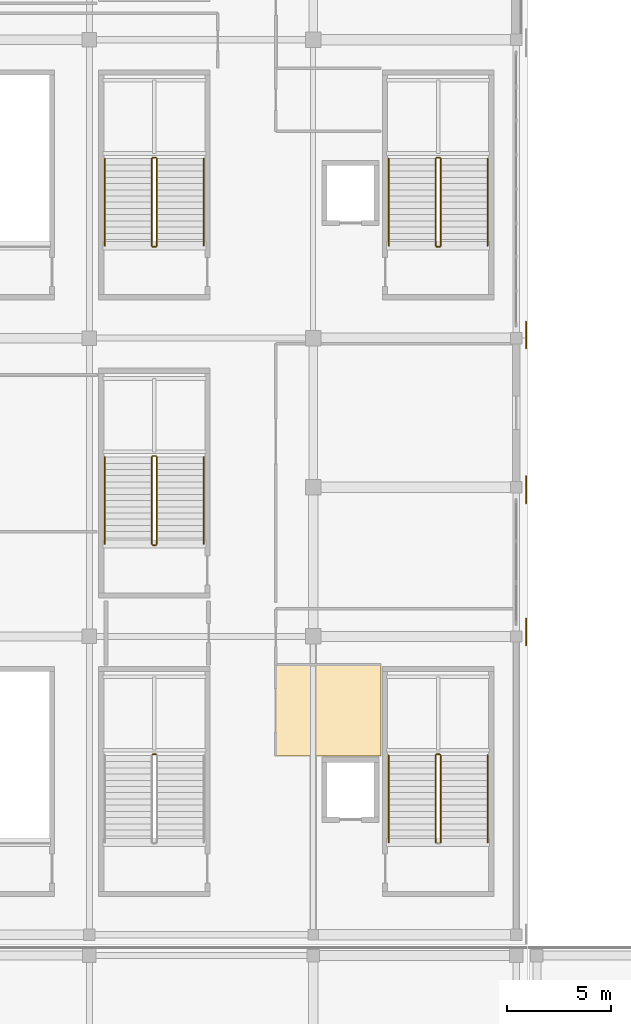
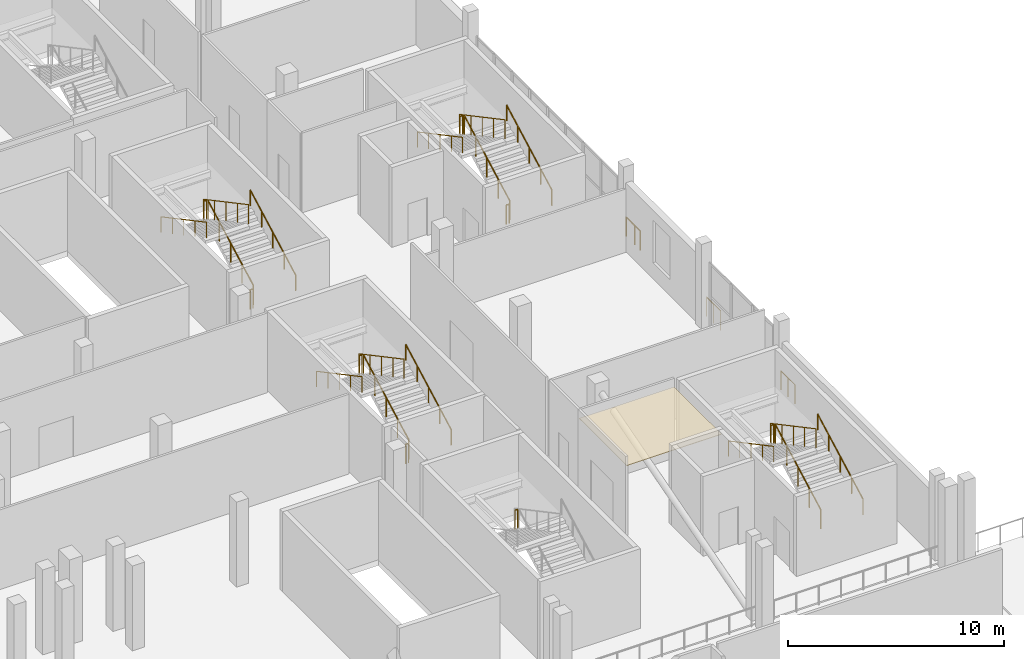
# One storey, part 117 of 129: 28 railings, 1 covering.
"""IFC4 building model written with IfcOpenShell, lengths in metres."""

import ifcopenshell
import ifcopenshell.guid

model = None  # the IFC model being written
_history = None  # IfcOwnerHistory: only IFC2X3 demands one
_inside = {}  # id of a spatial element -> (the spatial element, [elements in it])
_under = {}  # id of a project, library or spatial element -> (it, [spatial elements below it])
_declared = {}  # id of a project -> (the project, [libraries it declares])
_typed = {}  # id of a type object -> (the type object, [elements of that type])
_made_of = {}  # id of a material, layer set ... -> (it, [elements and type objects made of it])


def new_model(schema):
    """Start an empty IFC model of exactly this schema.

    Asked for "IFC4X3", IfcOpenShell would pick the latest addendum, in which some entities
    have other attributes; the version numbers below select the first issue.
    IFC2X3 requires an IfcOwnerHistory on every rooted entity: one is made here for all.
    """
    global model, _history
    if schema == "IFC4X3":
        model = ifcopenshell.file(schema_version=(4, 3, 0, 0))
    else:
        model = ifcopenshell.file(schema=schema)
    _inside.clear()
    _under.clear()
    _declared.clear()
    _typed.clear()
    _made_of.clear()
    _history = None
    if model.schema == "IFC2X3":
        org = make("IfcOrganization", Name="unknown")
        user = make(
            "IfcPersonAndOrganization",
            ThePerson=make("IfcPerson", FamilyName="unknown"),
            TheOrganization=org,
        )
        app = make(
            "IfcApplication",
            ApplicationDeveloper=org,
            Version="unknown",
            ApplicationFullName="unknown",
            ApplicationIdentifier="unknown",
        )
        _history = make(
            "IfcOwnerHistory",
            OwningUser=user,
            OwningApplication=app,
            ChangeAction="ADDED",
            CreationDate=0,
        )
    return model


def make(cls, **values):
    """One entity of the class cls with the attributes given. An attribute that is None is left unset."""
    return model.create_entity(
        cls, **{name: value for name, value in values.items() if value is not None}
    )


def rooted(cls, **values):
    """An entity with a GlobalId (a new one), such as an element, a storey or a relation."""
    return make(cls, GlobalId=ifcopenshell.guid.new(), OwnerHistory=_history, **values)


def si_unit(unit_type, name, prefix=None):
    """IfcSIUnit, for example si_unit("LENGTHUNIT", "METRE", prefix="MILLI")."""
    return make("IfcSIUnit", UnitType=unit_type, Prefix=prefix, Name=name)


def assignment(units):
    """IfcUnitAssignment: the units of a project."""
    return None if units is None else make("IfcUnitAssignment", Units=units)


def point(xyz):
    """IfcCartesianPoint."""
    return None if xyz is None else make("IfcCartesianPoint", Coordinates=xyz)


def direction(xyz):
    """IfcDirection."""
    return None if xyz is None else make("IfcDirection", DirectionRatios=xyz)


def frame(location, z_axis=None, x_axis=None):
    """IfcAxis2Placement3D, a coordinate frame: its origin and axes. An axis left out is left unset."""
    return make(
        "IfcAxis2Placement3D",
        Location=point(location),
        Axis=direction(z_axis),
        RefDirection=direction(x_axis),
    )


def frame_2d(location, x_axis=None):
    """IfcAxis2Placement2D, a coordinate frame in the plane: its origin and x axis."""
    return make(
        "IfcAxis2Placement2D", Location=point(location), RefDirection=direction(x_axis)
    )


def origin():
    """The frame at (0, 0, 0) with its axes left unset."""
    return frame((0.0, 0.0, 0.0))


def origin_2d():
    """The frame at (0, 0) in the plane with its x axis left unset."""
    return frame_2d((0.0, 0.0))


def place(relative_to, where):
    """IfcLocalPlacement: puts the frame where relative to a parent placement (None: the world)."""
    return make(
        "IfcLocalPlacement", PlacementRelTo=relative_to, RelativePlacement=where
    )


def context(
    kind, dimensions, precision=None, world=None, true_north=None, identifier=None
):
    """IfcGeometricRepresentationContext, for example the 3D "Model" context."""
    return make(
        "IfcGeometricRepresentationContext",
        ContextIdentifier=identifier,
        ContextType=kind,
        CoordinateSpaceDimension=dimensions,
        Precision=precision,
        WorldCoordinateSystem=world,
        TrueNorth=true_north,
    )


def subcontext(parent, identifier, kind, view, scale=None):
    """IfcGeometricRepresentationSubContext, for example "Body" below "Model"."""
    return make(
        "IfcGeometricRepresentationSubContext",
        ContextIdentifier=identifier,
        ContextType=kind,
        ParentContext=parent,
        TargetScale=scale,
        TargetView=view,
    )


def project(units=None, contexts=None):
    """IfcProject with its units and contexts."""
    return rooted(
        "IfcProject",
        Name="project",
        RepresentationContexts=contexts,
        UnitsInContext=assignment(units),
    )


def spatial(cls, under=None, at=None, **own):
    """A site, building, storey or space (cls), placed at a placement, below another one or the project."""
    s = rooted(cls, ObjectPlacement=at, **own)
    if under is not None:
        _under.setdefault(under.id(), (under, []))[1].append(s)
    return s


def polyline(points):
    """IfcPolyline through the points."""
    return make("IfcPolyline", Points=[point(p) for p in points])


def profile(cls, at=None, kind="AREA", **sizes):
    """A parametric profile (cls). Its sizes go by their IFC names, for example OverallWidth=200.0."""
    return make(cls, ProfileType=kind, Position=at, **sizes)


def circle(**sizes):
    """IfcCircleProfileDef."""
    return profile("IfcCircleProfileDef", **sizes)


def outline(outer, holes=None, kind="AREA"):
    """IfcArbitraryClosedProfileDef: a profile drawn as a closed curve; with holes, ...WithVoids."""
    if holes is None:
        return make("IfcArbitraryClosedProfileDef", ProfileType=kind, OuterCurve=outer)
    return make(
        "IfcArbitraryProfileDefWithVoids",
        ProfileType=kind,
        OuterCurve=outer,
        InnerCurves=holes,
    )


def extrude(swept, where, along, depth):
    """IfcExtrudedAreaSolid: the profile swept, set in the frame where, extruded along a direction by depth."""
    return make(
        "IfcExtrudedAreaSolid",
        SweptArea=swept,
        Position=where,
        ExtrudedDirection=direction(along),
        Depth=depth,
    )


def shape(context_of_items, identifier, shape_type, items):
    """IfcShapeRepresentation: the items that make up one representation, for example the "Body"."""
    return make(
        "IfcShapeRepresentation",
        ContextOfItems=context_of_items,
        RepresentationIdentifier=identifier,
        RepresentationType=shape_type,
        Items=items,
    )


def material(Name=None, Category=None):
    """IfcMaterial."""
    return make("IfcMaterial", Name=Name, Category=Category)


def layer(
    of_material, thickness, ventilated=None, Name=None, Category=None, Priority=None
):
    """IfcMaterialLayer: one layer of a wall or slab, of a material (None: an air gap)."""
    return make(
        "IfcMaterialLayer",
        Material=of_material,
        LayerThickness=thickness,
        IsVentilated=ventilated,
        Name=Name,
        Category=Category,
        Priority=Priority,
    )


def layer_set(layers, Name=None):
    """IfcMaterialLayerSet."""
    return make("IfcMaterialLayerSet", MaterialLayers=layers, LayerSetName=Name)


def made_of(thing, what):
    """Note that an element or type object is made of a material, layer set ...; save() writes the relation."""
    if what is not None:
        _made_of.setdefault(what.id(), (what, []))[1].append(thing)
    return thing


def type_object(cls, material=None, **own):
    """A type object (cls), such as IfcWallType, which elements share."""
    return made_of(rooted(cls, **own), material)


def element(
    cls,
    number,
    at=None,
    inside=None,
    cuts=None,
    type_object=None,
    material=None,
    context=None,
    identifier="Body",
    shape_type=None,
    held_by="IfcProductDefinitionShape",
    body=None,
    shapes=None,
    **own,
):
    """One element of the class cls, such as IfcWall. Its Tag is "e" and its number.

    at: its placement. inside: the storey or other place that contains it. cuts: it is an
    opening in that element (IfcRelVoidsElement). A single representation is given by context,
    identifier, shape_type and body (its items); several are given by shapes. held_by: the class
    of the entity that holds the representations. save() writes the other relations.
    """
    e = rooted(cls, Tag="e%d" % number, ObjectPlacement=at, **own)
    if body is not None:
        shapes = [shape(context, identifier, shape_type, body)]
    if shapes is not None:
        e.Representation = make(held_by, Representations=shapes)
    if inside is not None:
        _inside.setdefault(inside.id(), (inside, []))[1].append(e)
    if cuts is not None:
        rooted(
            "IfcRelVoidsElement", RelatingBuildingElement=cuts, RelatedOpeningElement=e
        )
    if type_object is not None:
        _typed.setdefault(type_object.id(), (type_object, []))[1].append(e)
    return made_of(e, material)


def aggregate(whole, parts):
    """IfcRelAggregates: a whole, such as a stair, and the parts it consists of."""
    return rooted("IfcRelAggregates", RelatingObject=whole, RelatedObjects=parts)


def save(model, path):
    """Write the relations noted so far, then the file.

    IfcRelAggregates (storeys below a building ...), IfcRelContainedInSpatialStructure (elements
    in a storey), IfcRelDefinesByType, IfcRelAssociatesMaterial and IfcRelDeclares: one each for
    every whole, place, type object, material and project.
    """
    for whole, parts in _under.values():
        aggregate(whole, parts)
    for where, things in _inside.values():
        rooted(
            "IfcRelContainedInSpatialStructure",
            RelatedElements=things,
            RelatingStructure=where,
        )
    for kind, things in _typed.values():
        rooted("IfcRelDefinesByType", RelatedObjects=things, RelatingType=kind)
    for what, things in _made_of.values():
        rooted("IfcRelAssociatesMaterial", RelatedObjects=things, RelatingMaterial=what)
    for by, libraries in _declared.values():
        rooted("IfcRelDeclares", RelatingContext=by, RelatedDefinitions=libraries)
    model.write(path)


model = new_model("IFC4")

# Units and contexts
model_context = context("Model", 3, precision=1e-05, world=origin(), true_north=direction((0.0, 1.0)))
body_context = subcontext(model_context, "Body", "Model", "MODEL_VIEW")
ifc_project = project(units=[si_unit("LENGTHUNIT", "METRE"), si_unit("AREAUNIT", "SQUARE_METRE"), si_unit("VOLUMEUNIT", "CUBIC_METRE"), si_unit("PLANEANGLEUNIT", "RADIAN"), si_unit("MASSUNIT", "GRAM", prefix="KILO")], contexts=[model_context])

# Site, building, storey
site_placement = place(None, origin())
site = spatial("IfcSite", under=ifc_project, at=site_placement, CompositionType="ELEMENT")
building_placement = place(site_placement, origin())
building = spatial("IfcBuilding", under=site, at=building_placement, Name="Koshinbarg Plaza Stadium", CompositionType="ELEMENT")
storey_placement = place(building_placement, frame((0.0, 0.0, 5.39990234375)))
storey = spatial("IfcBuildingStorey", under=building, at=storey_placement, Name="L01", CompositionType="ELEMENT", Elevation=5.39990234375)

# Covering
ifc_material_1 = material(Name="Perforated gypsum acoustic ceiling board")
ifc_layer = layer(ifc_material_1, 0.030029296875)
ifc_layer_set = layer_set([ifc_layer], Name="Perforated gypsum acoustic ceiling board")
covering_type = type_object("IfcCoveringType", Name="COV-CEIL-01", PredefinedType="CEILING", material=ifc_layer_set)
covering_placement = place(storey_placement, frame((0.0, 0.0, 3.9501953125)))
element("IfcCovering", 1, at=covering_placement, inside=storey, type_object=covering_type, Name="L01 Family Supporters' Lounge acoustic ceiling 007", PredefinedType="CEILING", context=body_context, shape_type="SweptSolid", body=[
    extrude(outline(polyline([(206.800048828125, 34.1298828125), (211.8701171875, 34.1298828125), (211.8701171875, 38.530029296875), (206.800048828125, 38.530029296875), (206.800048828125, 34.1298828125)])), origin(), (0.0, 0.0, 1.0), 0.02978515625),
])

# Railings
ifc_material_2 = material(Name="Toughened laminated glass and stainless steel sightline balustrade", Category="steel")
railing_type_1 = type_object("IfcRailingType", Name="RL-BOWL-1100", PredefinedType="BALUSTRADE", material=ifc_material_2)
railing_1_placement = place(storey_placement, frame((218.875, 54.300048828125, 0.0)))
element("IfcRailing", 2, at=railing_1_placement, inside=storey, type_object=railing_type_1, Name="L01 deck edge safety balustrade 0013", PredefinedType="BALUSTRADE", context=body_context, shape_type="SweptSolid", body=[
    extrude(circle(Radius=0.02392578125, at=origin_2d()), frame((0.0, 0.0, 1.076171875), z_axis=(0.0, -1.0, 0.0), x_axis=(1.0, 0.0, 0.0)), (0.0, 0.0, 1.0), 0.49853515625),
    extrude(circle(Radius=0.02099609375, at=origin_2d()), origin(), (0.0, 0.0, 1.0), 1.052001953125),
    extrude(circle(Radius=0.02099609375, at=origin_2d()), frame((0.0, -0.49853515625, 0.0)), (0.0, 0.0, 1.0), 1.052001953125),
])
for number, where, name in (
    (3, (218.875, 47.634033203125, 0.0), "L01 deck edge safety balustrade 0014"),
    (4, (218.875, 40.76806640625, 0.0), "L01 deck edge safety balustrade 0015"),
):
    element("IfcRailing", number, at=place(storey_placement, frame(where)), inside=storey, type_object=railing_type_1, Name=name, PredefinedType="BALUSTRADE", context=body_context, shape_type="SweptSolid", body=[
        extrude(circle(Radius=0.02392578125, at=origin_2d()), frame((0.0, 0.0, 1.076171875), z_axis=(0.0, -1.0, 0.0), x_axis=(1.0, 0.0, 0.0)), (0.0, 0.0, 1.0), 1.295654296875),
        extrude(circle(Radius=0.02099609375, at=origin_2d()), origin(), (0.0, 0.0, 1.0), 1.052001953125),
        extrude(circle(Radius=0.02099609375, at=origin_2d()), frame((0.0, -0.64794921875, 0.0)), (0.0, 0.0, 1.0), 1.052001953125),
        extrude(circle(Radius=0.02099609375, at=origin_2d()), frame((0.0, -1.295654296875, 0.0)), (0.0, 0.0, 1.0), 1.052001953125),
    ])
railing_2_placement = place(storey_placement, frame((218.875, 55.10009765625, 0.0)))
element("IfcRailing", 5, at=railing_2_placement, inside=storey, type_object=railing_type_1, Name="L01 deck edge safety balustrade 0023", PredefinedType="BALUSTRADE", context=body_context, shape_type="SweptSolid", body=[
    extrude(circle(Radius=0.02392578125, at=origin_2d()), frame((0.0, 0.0, 1.076171875), z_axis=(0.0, -1.0, 0.0), x_axis=(1.0, 0.0, 0.0)), (0.0, 0.0, 1.0), 0.800048828125),
    extrude(circle(Radius=0.02099609375, at=origin_2d()), origin(), (0.0, 0.0, 1.0), 1.052001953125),
    extrude(circle(Radius=0.02099609375, at=origin_2d()), frame((0.0, -0.800048828125, 0.0)), (0.0, 0.0, 1.0), 1.052001953125),
])
ifc_material_3 = material(Name="Galvanized painted steel guardrail", Category="steel")
railing_type_2 = type_object("IfcRailingType", Name="RL-GUARD-1100", PredefinedType="GUARDRAIL", material=ifc_material_3)
railing_3_placement = place(storey_placement, frame((214.760009765625, 29.9599609375, 0.16015625)))
element("IfcRailing", 6, at=railing_3_placement, inside=storey, type_object=railing_type_2, Name="L01 C07 stair guard 1", PredefinedType="GUARDRAIL", context=body_context, shape_type="SweptSolid", body=[
    extrude(circle(Radius=0.02392578125, at=origin_2d()), frame((0.0, 0.0, 1.076171875), z_axis=(0.0, 0.882351521365, 0.470590897432), x_axis=(-1.0, 0.0, 0.0)), (0.0, 0.0, 1.0), 4.760009765625),
    extrude(circle(Radius=0.02099609375, at=origin_2d()), origin(), (0.0, 0.0, 1.0), 1.052001953125),
    extrude(circle(Radius=0.02099609375, at=origin_2d()), frame((0.0, 1.050048828125, 0.56005859375)), (0.0, 0.0, 1.0), 1.052001953125),
    extrude(circle(Radius=0.02099609375, at=origin_2d()), frame((0.0, 2.10009765625, 1.1201171875)), (0.0, 0.0, 1.0), 1.052001953125),
    extrude(circle(Radius=0.02099609375, at=origin_2d()), frame((0.0, 3.14990234375, 1.679931640625)), (0.0, 0.0, 1.0), 1.052001953125),
    extrude(circle(Radius=0.02099609375, at=origin_2d()), frame((0.0, 4.199951171875, 2.239990234375)), (0.0, 0.0, 1.0), 1.052001953125),
])
railing_4_placement = place(storey_placement, frame((214.7099609375, 34.2099609375, 2.400146484375)))
element("IfcRailing", 7, at=railing_4_placement, inside=storey, type_object=railing_type_2, Name="L01 C07 stair guard 2", PredefinedType="GUARDRAIL", context=body_context, shape_type="SweptSolid", body=[
    extrude(circle(Radius=0.02392578125, at=origin_2d()), frame((0.0, 0.0, 1.076171875), z_axis=(-1.0, 0.0, 0.0), x_axis=(0.0, -1.0, 0.0)), (0.0, 0.0, 1.0), 0.14990234375),
    extrude(circle(Radius=0.02099609375, at=origin_2d()), origin(), (0.0, 0.0, 1.0), 1.052001953125),
    extrude(circle(Radius=0.02099609375, at=origin_2d()), frame((-0.14990234375, 0.0, 0.0)), (0.0, 0.0, 1.0), 1.052001953125),
])
railing_5_placement = place(storey_placement, frame((214.510009765625, 34.159912109375, 2.56005859375)))
element("IfcRailing", 8, at=railing_5_placement, inside=storey, type_object=railing_type_2, Name="L01 C07 stair guard 3", PredefinedType="GUARDRAIL", context=body_context, shape_type="SweptSolid", body=[
    extrude(circle(Radius=0.02392578125, at=origin_2d()), frame((0.0, 0.0, 1.076171875), z_axis=(0.0, -0.882351521365, 0.470590897432), x_axis=(1.0, 0.0, 0.0)), (0.0, 0.0, 1.0), 4.760009765625),
    extrude(circle(Radius=0.02099609375, at=origin_2d()), origin(), (0.0, 0.0, 1.0), 1.052001953125),
    extrude(circle(Radius=0.02099609375, at=origin_2d()), frame((0.0, -1.050048828125, 0.56005859375)), (0.0, 0.0, 1.0), 1.052001953125),
    extrude(circle(Radius=0.02099609375, at=origin_2d()), frame((0.0, -2.10009765625, 1.1201171875)), (0.0, 0.0, 1.0), 1.052001953125),
    extrude(circle(Radius=0.02099609375, at=origin_2d()), frame((0.0, -3.14990234375, 1.679931640625)), (0.0, 0.0, 1.0), 1.052001953125),
    extrude(circle(Radius=0.02099609375, at=origin_2d()), frame((0.0, -4.199951171875, 2.239990234375)), (0.0, 0.0, 1.0), 1.052001953125),
])
railing_6_placement = place(storey_placement, frame((214.760009765625, 58.760009765625, 0.16015625)))
element("IfcRailing", 9, at=railing_6_placement, inside=storey, type_object=railing_type_2, Name="L01 C08 stair guard 1", PredefinedType="GUARDRAIL", context=body_context, shape_type="SweptSolid", body=[
    extrude(circle(Radius=0.02392578125, at=origin_2d()), frame((0.0, 0.0, 1.076171875), z_axis=(0.0, 0.882351521365, 0.470590897432), x_axis=(-1.0, 0.0, 0.0)), (0.0, 0.0, 1.0), 4.760009765625),
    extrude(circle(Radius=0.02099609375, at=origin_2d()), origin(), (0.0, 0.0, 1.0), 1.052001953125),
    extrude(circle(Radius=0.02099609375, at=origin_2d()), frame((0.0, 1.050048828125, 0.56005859375)), (0.0, 0.0, 1.0), 1.052001953125),
    extrude(circle(Radius=0.02099609375, at=origin_2d()), frame((0.0, 2.10009765625, 1.1201171875)), (0.0, 0.0, 1.0), 1.052001953125),
    extrude(circle(Radius=0.02099609375, at=origin_2d()), frame((0.0, 3.14990234375, 1.679931640625)), (0.0, 0.0, 1.0), 1.052001953125),
    extrude(circle(Radius=0.02099609375, at=origin_2d()), frame((0.0, 4.199951171875, 2.239990234375)), (0.0, 0.0, 1.0), 1.052001953125),
])
railing_7_placement = place(storey_placement, frame((214.7099609375, 63.010009765625, 2.400146484375)))
element("IfcRailing", 10, at=railing_7_placement, inside=storey, type_object=railing_type_2, Name="L01 C08 stair guard 2", PredefinedType="GUARDRAIL", context=body_context, shape_type="SweptSolid", body=[
    extrude(circle(Radius=0.02392578125, at=origin_2d()), frame((0.0, 0.0, 1.076171875), z_axis=(-1.0, 0.0, 0.0), x_axis=(0.0, -1.0, 0.0)), (0.0, 0.0, 1.0), 0.14990234375),
    extrude(circle(Radius=0.02099609375, at=origin_2d()), origin(), (0.0, 0.0, 1.0), 1.052001953125),
    extrude(circle(Radius=0.02099609375, at=origin_2d()), frame((-0.14990234375, 0.0, 0.0)), (0.0, 0.0, 1.0), 1.052001953125),
])
railing_8_placement = place(storey_placement, frame((214.510009765625, 62.9599609375, 2.56005859375)))
element("IfcRailing", 11, at=railing_8_placement, inside=storey, type_object=railing_type_2, Name="L01 C08 stair guard 3", PredefinedType="GUARDRAIL", context=body_context, shape_type="SweptSolid", body=[
    extrude(circle(Radius=0.02392578125, at=origin_2d()), frame((0.0, 0.0, 1.076171875), z_axis=(0.0, -0.882351521365, 0.470590897432), x_axis=(1.0, 0.0, 0.0)), (0.0, 0.0, 1.0), 4.760009765625),
    extrude(circle(Radius=0.02099609375, at=origin_2d()), origin(), (0.0, 0.0, 1.0), 1.052001953125),
    extrude(circle(Radius=0.02099609375, at=origin_2d()), frame((0.0, -1.050048828125, 0.56005859375)), (0.0, 0.0, 1.0), 1.052001953125),
    extrude(circle(Radius=0.02099609375, at=origin_2d()), frame((0.0, -2.10009765625, 1.1201171875)), (0.0, 0.0, 1.0), 1.052001953125),
    extrude(circle(Radius=0.02099609375, at=origin_2d()), frame((0.0, -3.14990234375, 1.679931640625)), (0.0, 0.0, 1.0), 1.052001953125),
    extrude(circle(Radius=0.02099609375, at=origin_2d()), frame((0.0, -4.199951171875, 2.239990234375)), (0.0, 0.0, 1.0), 1.052001953125),
])
for number, where, name in (
    (12, (214.7099609375, 58.7099609375, 0.0), "L01 C08 stair guard 4"),
    (13, (201.010009765625, 34.2099609375, 2.400146484375), "L01 VX07 stair guard 2"),
):
    element("IfcRailing", number, at=place(storey_placement, frame(where)), inside=storey, type_object=railing_type_2, Name=name, PredefinedType="GUARDRAIL", context=body_context, shape_type="SweptSolid", body=[
        extrude(circle(Radius=0.02392578125, at=origin_2d()), frame((0.0, 0.0, 1.076171875), z_axis=(-1.0, 0.0, 0.0), x_axis=(0.0, -1.0, 0.0)), (0.0, 0.0, 1.0), 0.14990234375),
        extrude(circle(Radius=0.02099609375, at=origin_2d()), origin(), (0.0, 0.0, 1.0), 1.052001953125),
        extrude(circle(Radius=0.02099609375, at=origin_2d()), frame((-0.14990234375, 0.0, 0.0)), (0.0, 0.0, 1.0), 1.052001953125),
    ])
railing_9_placement = place(storey_placement, frame((201.06005859375, 44.360107421875, 0.16015625)))
element("IfcRailing", 14, at=railing_9_placement, inside=storey, type_object=railing_type_2, Name="L01 VX08 stair guard 1", PredefinedType="GUARDRAIL", context=body_context, shape_type="SweptSolid", body=[
    extrude(circle(Radius=0.02392578125, at=origin_2d()), frame((0.0, 0.0, 1.076171875), z_axis=(0.0, 0.882351521365, 0.470590897432), x_axis=(-1.0, 0.0, 0.0)), (0.0, 0.0, 1.0), 4.760009765625),
    extrude(circle(Radius=0.02099609375, at=origin_2d()), origin(), (0.0, 0.0, 1.0), 1.052001953125),
    extrude(circle(Radius=0.02099609375, at=origin_2d()), frame((0.0, 1.050048828125, 0.56005859375)), (0.0, 0.0, 1.0), 1.052001953125),
    extrude(circle(Radius=0.02099609375, at=origin_2d()), frame((0.0, 2.10009765625, 1.1201171875)), (0.0, 0.0, 1.0), 1.052001953125),
    extrude(circle(Radius=0.02099609375, at=origin_2d()), frame((0.0, 3.14990234375, 1.679931640625)), (0.0, 0.0, 1.0), 1.052001953125),
    extrude(circle(Radius=0.02099609375, at=origin_2d()), frame((0.0, 4.199951171875, 2.239990234375)), (0.0, 0.0, 1.0), 1.052001953125),
])
railing_10_placement = place(storey_placement, frame((201.010009765625, 48.610107421875, 2.400146484375)))
element("IfcRailing", 15, at=railing_10_placement, inside=storey, type_object=railing_type_2, Name="L01 VX08 stair guard 2", PredefinedType="GUARDRAIL", context=body_context, shape_type="SweptSolid", body=[
    extrude(circle(Radius=0.02392578125, at=origin_2d()), frame((0.0, 0.0, 1.076171875), z_axis=(-1.0, 0.0, 0.0), x_axis=(0.0, -1.0, 0.0)), (0.0, 0.0, 1.0), 0.14990234375),
    extrude(circle(Radius=0.02099609375, at=origin_2d()), origin(), (0.0, 0.0, 1.0), 1.052001953125),
    extrude(circle(Radius=0.02099609375, at=origin_2d()), frame((-0.14990234375, 0.0, 0.0)), (0.0, 0.0, 1.0), 1.052001953125),
])
railing_11_placement = place(storey_placement, frame((200.81005859375, 48.56005859375, 2.56005859375)))
element("IfcRailing", 16, at=railing_11_placement, inside=storey, type_object=railing_type_2, Name="L01 VX08 stair guard 3", PredefinedType="GUARDRAIL", context=body_context, shape_type="SweptSolid", body=[
    extrude(circle(Radius=0.02392578125, at=origin_2d()), frame((0.0, 0.0, 1.076171875), z_axis=(0.0, -0.882351521365, 0.470590897432), x_axis=(1.0, 0.0, 0.0)), (0.0, 0.0, 1.0), 4.760009765625),
    extrude(circle(Radius=0.02099609375, at=origin_2d()), origin(), (0.0, 0.0, 1.0), 1.052001953125),
    extrude(circle(Radius=0.02099609375, at=origin_2d()), frame((0.0, -1.050048828125, 0.56005859375)), (0.0, 0.0, 1.0), 1.052001953125),
    extrude(circle(Radius=0.02099609375, at=origin_2d()), frame((0.0, -2.10009765625, 1.1201171875)), (0.0, 0.0, 1.0), 1.052001953125),
    extrude(circle(Radius=0.02099609375, at=origin_2d()), frame((0.0, -3.14990234375, 1.679931640625)), (0.0, 0.0, 1.0), 1.052001953125),
    extrude(circle(Radius=0.02099609375, at=origin_2d()), frame((0.0, -4.199951171875, 2.239990234375)), (0.0, 0.0, 1.0), 1.052001953125),
])
railing_12_placement = place(storey_placement, frame((201.010009765625, 44.31005859375, 0.0)))
element("IfcRailing", 17, at=railing_12_placement, inside=storey, type_object=railing_type_2, Name="L01 VX08 stair guard 4", PredefinedType="GUARDRAIL", context=body_context, shape_type="SweptSolid", body=[
    extrude(circle(Radius=0.02392578125, at=origin_2d()), frame((0.0, 0.0, 1.076171875), z_axis=(-1.0, 0.0, 0.0), x_axis=(0.0, -1.0, 0.0)), (0.0, 0.0, 1.0), 0.14990234375),
    extrude(circle(Radius=0.02099609375, at=origin_2d()), origin(), (0.0, 0.0, 1.0), 1.052001953125),
    extrude(circle(Radius=0.02099609375, at=origin_2d()), frame((-0.14990234375, 0.0, 0.0)), (0.0, 0.0, 1.0), 1.052001953125),
])
railing_13_placement = place(storey_placement, frame((201.06005859375, 58.760009765625, 0.16015625)))
element("IfcRailing", 18, at=railing_13_placement, inside=storey, type_object=railing_type_2, Name="L01 VX09 stair guard 1", PredefinedType="GUARDRAIL", context=body_context, shape_type="SweptSolid", body=[
    extrude(circle(Radius=0.02392578125, at=origin_2d()), frame((0.0, 0.0, 1.076171875), z_axis=(0.0, 0.882351521365, 0.470590897432), x_axis=(-1.0, 0.0, 0.0)), (0.0, 0.0, 1.0), 4.760009765625),
    extrude(circle(Radius=0.02099609375, at=origin_2d()), origin(), (0.0, 0.0, 1.0), 1.052001953125),
    extrude(circle(Radius=0.02099609375, at=origin_2d()), frame((0.0, 1.050048828125, 0.56005859375)), (0.0, 0.0, 1.0), 1.052001953125),
    extrude(circle(Radius=0.02099609375, at=origin_2d()), frame((0.0, 2.10009765625, 1.1201171875)), (0.0, 0.0, 1.0), 1.052001953125),
    extrude(circle(Radius=0.02099609375, at=origin_2d()), frame((0.0, 3.14990234375, 1.679931640625)), (0.0, 0.0, 1.0), 1.052001953125),
    extrude(circle(Radius=0.02099609375, at=origin_2d()), frame((0.0, 4.199951171875, 2.239990234375)), (0.0, 0.0, 1.0), 1.052001953125),
])
railing_14_placement = place(storey_placement, frame((201.010009765625, 63.010009765625, 2.400146484375)))
element("IfcRailing", 19, at=railing_14_placement, inside=storey, type_object=railing_type_2, Name="L01 VX09 stair guard 2", PredefinedType="GUARDRAIL", context=body_context, shape_type="SweptSolid", body=[
    extrude(circle(Radius=0.02392578125, at=origin_2d()), frame((0.0, 0.0, 1.076171875), z_axis=(-1.0, 0.0, 0.0), x_axis=(0.0, -1.0, 0.0)), (0.0, 0.0, 1.0), 0.14990234375),
    extrude(circle(Radius=0.02099609375, at=origin_2d()), origin(), (0.0, 0.0, 1.0), 1.052001953125),
    extrude(circle(Radius=0.02099609375, at=origin_2d()), frame((-0.14990234375, 0.0, 0.0)), (0.0, 0.0, 1.0), 1.052001953125),
])
railing_15_placement = place(storey_placement, frame((200.81005859375, 62.9599609375, 2.56005859375)))
element("IfcRailing", 20, at=railing_15_placement, inside=storey, type_object=railing_type_2, Name="L01 VX09 stair guard 3", PredefinedType="GUARDRAIL", context=body_context, shape_type="SweptSolid", body=[
    extrude(circle(Radius=0.02392578125, at=origin_2d()), frame((0.0, 0.0, 1.076171875), z_axis=(0.0, -0.882351521365, 0.470590897432), x_axis=(1.0, 0.0, 0.0)), (0.0, 0.0, 1.0), 4.760009765625),
    extrude(circle(Radius=0.02099609375, at=origin_2d()), origin(), (0.0, 0.0, 1.0), 1.052001953125),
    extrude(circle(Radius=0.02099609375, at=origin_2d()), frame((0.0, -1.050048828125, 0.56005859375)), (0.0, 0.0, 1.0), 1.052001953125),
    extrude(circle(Radius=0.02099609375, at=origin_2d()), frame((0.0, -2.10009765625, 1.1201171875)), (0.0, 0.0, 1.0), 1.052001953125),
    extrude(circle(Radius=0.02099609375, at=origin_2d()), frame((0.0, -3.14990234375, 1.679931640625)), (0.0, 0.0, 1.0), 1.052001953125),
    extrude(circle(Radius=0.02099609375, at=origin_2d()), frame((0.0, -4.199951171875, 2.239990234375)), (0.0, 0.0, 1.0), 1.052001953125),
])
railing_16_placement = place(storey_placement, frame((201.010009765625, 58.7099609375, 0.0)))
element("IfcRailing", 21, at=railing_16_placement, inside=storey, type_object=railing_type_2, Name="L01 VX09 stair guard 4", PredefinedType="GUARDRAIL", context=body_context, shape_type="SweptSolid", body=[
    extrude(circle(Radius=0.02392578125, at=origin_2d()), frame((0.0, 0.0, 1.076171875), z_axis=(-1.0, 0.0, 0.0), x_axis=(0.0, -1.0, 0.0)), (0.0, 0.0, 1.0), 0.14990234375),
    extrude(circle(Radius=0.02099609375, at=origin_2d()), origin(), (0.0, 0.0, 1.0), 1.052001953125),
    extrude(circle(Radius=0.02099609375, at=origin_2d()), frame((-0.14990234375, 0.0, 0.0)), (0.0, 0.0, 1.0), 1.052001953125),
])
ifc_material_4 = material(Name="Brushed stainless steel handrail", Category="steel")
railing_type_3 = type_object("IfcRailingType", Name="RL-HAND-900", PredefinedType="HANDRAIL", material=ifc_material_4)
railing_17_placement = place(storey_placement, frame((217.02001953125, 29.9599609375, 0.16015625)))
element("IfcRailing", 22, at=railing_17_placement, inside=storey, type_object=railing_type_3, Name="L01 C07 stair handrail 1", PredefinedType="HANDRAIL", context=body_context, shape_type="SweptSolid", body=[
    extrude(circle(Radius=0.02392578125, at=origin_2d()), frame((0.0, 0.0, 0.8759765625), z_axis=(0.0, 0.882351521365, 0.470590897432), x_axis=(-1.0, 0.0, 0.0)), (0.0, 0.0, 1.0), 4.760009765625),
    extrude(circle(Radius=0.02099609375, at=origin_2d()), origin(), (0.0, 0.0, 1.0), 0.851806640625),
    extrude(circle(Radius=0.02099609375, at=origin_2d()), frame((0.0, 1.050048828125, 0.56005859375)), (0.0, 0.0, 1.0), 0.851806640625),
    extrude(circle(Radius=0.02099609375, at=origin_2d()), frame((0.0, 2.10009765625, 1.1201171875)), (0.0, 0.0, 1.0), 0.851806640625),
    extrude(circle(Radius=0.02099609375, at=origin_2d()), frame((0.0, 3.14990234375, 1.679931640625)), (0.0, 0.0, 1.0), 0.851806640625),
    extrude(circle(Radius=0.02099609375, at=origin_2d()), frame((0.0, 4.199951171875, 2.239990234375)), (0.0, 0.0, 1.0), 0.851806640625),
])
railing_18_placement = place(storey_placement, frame((212.25, 34.159912109375, 2.56005859375)))
element("IfcRailing", 23, at=railing_18_placement, inside=storey, type_object=railing_type_3, Name="L01 C07 stair handrail 2", PredefinedType="HANDRAIL", context=body_context, shape_type="SweptSolid", body=[
    extrude(circle(Radius=0.02392578125, at=origin_2d()), frame((0.0, 0.0, 0.8759765625), z_axis=(0.0, -0.882351521365, 0.470590897432), x_axis=(1.0, 0.0, 0.0)), (0.0, 0.0, 1.0), 4.760009765625),
    extrude(circle(Radius=0.02099609375, at=origin_2d()), origin(), (0.0, 0.0, 1.0), 0.851806640625),
    extrude(circle(Radius=0.02099609375, at=origin_2d()), frame((0.0, -1.050048828125, 0.56005859375)), (0.0, 0.0, 1.0), 0.851806640625),
    extrude(circle(Radius=0.02099609375, at=origin_2d()), frame((0.0, -2.10009765625, 1.1201171875)), (0.0, 0.0, 1.0), 0.851806640625),
    extrude(circle(Radius=0.02099609375, at=origin_2d()), frame((0.0, -3.14990234375, 1.679931640625)), (0.0, 0.0, 1.0), 0.851806640625),
    extrude(circle(Radius=0.02099609375, at=origin_2d()), frame((0.0, -4.199951171875, 2.239990234375)), (0.0, 0.0, 1.0), 0.851806640625),
])
railing_19_placement = place(storey_placement, frame((217.02001953125, 58.760009765625, 0.16015625)))
element("IfcRailing", 24, at=railing_19_placement, inside=storey, type_object=railing_type_3, Name="L01 C08 stair handrail 1", PredefinedType="HANDRAIL", context=body_context, shape_type="SweptSolid", body=[
    extrude(circle(Radius=0.02392578125, at=origin_2d()), frame((0.0, 0.0, 0.8759765625), z_axis=(0.0, 0.882351521365, 0.470590897432), x_axis=(-1.0, 0.0, 0.0)), (0.0, 0.0, 1.0), 4.760009765625),
    extrude(circle(Radius=0.02099609375, at=origin_2d()), origin(), (0.0, 0.0, 1.0), 0.851806640625),
    extrude(circle(Radius=0.02099609375, at=origin_2d()), frame((0.0, 1.050048828125, 0.56005859375)), (0.0, 0.0, 1.0), 0.851806640625),
    extrude(circle(Radius=0.02099609375, at=origin_2d()), frame((0.0, 2.10009765625, 1.1201171875)), (0.0, 0.0, 1.0), 0.851806640625),
    extrude(circle(Radius=0.02099609375, at=origin_2d()), frame((0.0, 3.14990234375, 1.679931640625)), (0.0, 0.0, 1.0), 0.851806640625),
    extrude(circle(Radius=0.02099609375, at=origin_2d()), frame((0.0, 4.199951171875, 2.239990234375)), (0.0, 0.0, 1.0), 0.851806640625),
])
railing_20_placement = place(storey_placement, frame((212.25, 62.9599609375, 2.56005859375)))
element("IfcRailing", 25, at=railing_20_placement, inside=storey, type_object=railing_type_3, Name="L01 C08 stair handrail 2", PredefinedType="HANDRAIL", context=body_context, shape_type="SweptSolid", body=[
    extrude(circle(Radius=0.02392578125, at=origin_2d()), frame((0.0, 0.0, 0.8759765625), z_axis=(0.0, -0.882351521365, 0.470590897432), x_axis=(1.0, 0.0, 0.0)), (0.0, 0.0, 1.0), 4.760009765625),
    extrude(circle(Radius=0.02099609375, at=origin_2d()), origin(), (0.0, 0.0, 1.0), 0.851806640625),
    extrude(circle(Radius=0.02099609375, at=origin_2d()), frame((0.0, -1.050048828125, 0.56005859375)), (0.0, 0.0, 1.0), 0.851806640625),
    extrude(circle(Radius=0.02099609375, at=origin_2d()), frame((0.0, -2.10009765625, 1.1201171875)), (0.0, 0.0, 1.0), 0.851806640625),
    extrude(circle(Radius=0.02099609375, at=origin_2d()), frame((0.0, -3.14990234375, 1.679931640625)), (0.0, 0.0, 1.0), 0.851806640625),
    extrude(circle(Radius=0.02099609375, at=origin_2d()), frame((0.0, -4.199951171875, 2.239990234375)), (0.0, 0.0, 1.0), 0.851806640625),
])
railing_21_placement = place(storey_placement, frame((203.320068359375, 44.360107421875, 0.16015625)))
element("IfcRailing", 26, at=railing_21_placement, inside=storey, type_object=railing_type_3, Name="L01 VX08 stair handrail 1", PredefinedType="HANDRAIL", context=body_context, shape_type="SweptSolid", body=[
    extrude(circle(Radius=0.02392578125, at=origin_2d()), frame((0.0, 0.0, 0.8759765625), z_axis=(0.0, 0.882351521365, 0.470590897432), x_axis=(-1.0, 0.0, 0.0)), (0.0, 0.0, 1.0), 4.760009765625),
    extrude(circle(Radius=0.02099609375, at=origin_2d()), origin(), (0.0, 0.0, 1.0), 0.851806640625),
    extrude(circle(Radius=0.02099609375, at=origin_2d()), frame((0.0, 1.050048828125, 0.56005859375)), (0.0, 0.0, 1.0), 0.851806640625),
    extrude(circle(Radius=0.02099609375, at=origin_2d()), frame((0.0, 2.10009765625, 1.1201171875)), (0.0, 0.0, 1.0), 0.851806640625),
    extrude(circle(Radius=0.02099609375, at=origin_2d()), frame((0.0, 3.14990234375, 1.679931640625)), (0.0, 0.0, 1.0), 0.851806640625),
    extrude(circle(Radius=0.02099609375, at=origin_2d()), frame((0.0, 4.199951171875, 2.239990234375)), (0.0, 0.0, 1.0), 0.851806640625),
])
railing_22_placement = place(storey_placement, frame((198.550048828125, 48.56005859375, 2.56005859375)))
element("IfcRailing", 27, at=railing_22_placement, inside=storey, type_object=railing_type_3, Name="L01 VX08 stair handrail 2", PredefinedType="HANDRAIL", context=body_context, shape_type="SweptSolid", body=[
    extrude(circle(Radius=0.02392578125, at=origin_2d()), frame((0.0, 0.0, 0.8759765625), z_axis=(0.0, -0.882351521365, 0.470590897432), x_axis=(1.0, 0.0, 0.0)), (0.0, 0.0, 1.0), 4.760009765625),
    extrude(circle(Radius=0.02099609375, at=origin_2d()), origin(), (0.0, 0.0, 1.0), 0.851806640625),
    extrude(circle(Radius=0.02099609375, at=origin_2d()), frame((0.0, -1.050048828125, 0.56005859375)), (0.0, 0.0, 1.0), 0.851806640625),
    extrude(circle(Radius=0.02099609375, at=origin_2d()), frame((0.0, -2.10009765625, 1.1201171875)), (0.0, 0.0, 1.0), 0.851806640625),
    extrude(circle(Radius=0.02099609375, at=origin_2d()), frame((0.0, -3.14990234375, 1.679931640625)), (0.0, 0.0, 1.0), 0.851806640625),
    extrude(circle(Radius=0.02099609375, at=origin_2d()), frame((0.0, -4.199951171875, 2.239990234375)), (0.0, 0.0, 1.0), 0.851806640625),
])
railing_23_placement = place(storey_placement, frame((203.320068359375, 58.760009765625, 0.16015625)))
element("IfcRailing", 28, at=railing_23_placement, inside=storey, type_object=railing_type_3, Name="L01 VX09 stair handrail 1", PredefinedType="HANDRAIL", context=body_context, shape_type="SweptSolid", body=[
    extrude(circle(Radius=0.02392578125, at=origin_2d()), frame((0.0, 0.0, 0.8759765625), z_axis=(0.0, 0.882351521365, 0.470590897432), x_axis=(-1.0, 0.0, 0.0)), (0.0, 0.0, 1.0), 4.760009765625),
    extrude(circle(Radius=0.02099609375, at=origin_2d()), origin(), (0.0, 0.0, 1.0), 0.851806640625),
    extrude(circle(Radius=0.02099609375, at=origin_2d()), frame((0.0, 1.050048828125, 0.56005859375)), (0.0, 0.0, 1.0), 0.851806640625),
    extrude(circle(Radius=0.02099609375, at=origin_2d()), frame((0.0, 2.10009765625, 1.1201171875)), (0.0, 0.0, 1.0), 0.851806640625),
    extrude(circle(Radius=0.02099609375, at=origin_2d()), frame((0.0, 3.14990234375, 1.679931640625)), (0.0, 0.0, 1.0), 0.851806640625),
    extrude(circle(Radius=0.02099609375, at=origin_2d()), frame((0.0, 4.199951171875, 2.239990234375)), (0.0, 0.0, 1.0), 0.851806640625),
])
railing_24_placement = place(storey_placement, frame((198.550048828125, 62.9599609375, 2.56005859375)))
element("IfcRailing", 29, at=railing_24_placement, inside=storey, type_object=railing_type_3, Name="L01 VX09 stair handrail 2", PredefinedType="HANDRAIL", context=body_context, shape_type="SweptSolid", body=[
    extrude(circle(Radius=0.02392578125, at=origin_2d()), frame((0.0, 0.0, 0.8759765625), z_axis=(0.0, -0.882351521365, 0.470590897432), x_axis=(1.0, 0.0, 0.0)), (0.0, 0.0, 1.0), 4.760009765625),
    extrude(circle(Radius=0.02099609375, at=origin_2d()), origin(), (0.0, 0.0, 1.0), 0.851806640625),
    extrude(circle(Radius=0.02099609375, at=origin_2d()), frame((0.0, -1.050048828125, 0.56005859375)), (0.0, 0.0, 1.0), 0.851806640625),
    extrude(circle(Radius=0.02099609375, at=origin_2d()), frame((0.0, -2.10009765625, 1.1201171875)), (0.0, 0.0, 1.0), 0.851806640625),
    extrude(circle(Radius=0.02099609375, at=origin_2d()), frame((0.0, -3.14990234375, 1.679931640625)), (0.0, 0.0, 1.0), 0.851806640625),
    extrude(circle(Radius=0.02099609375, at=origin_2d()), frame((0.0, -4.199951171875, 2.239990234375)), (0.0, 0.0, 1.0), 0.851806640625),
])

save(model, "model.ifc")
